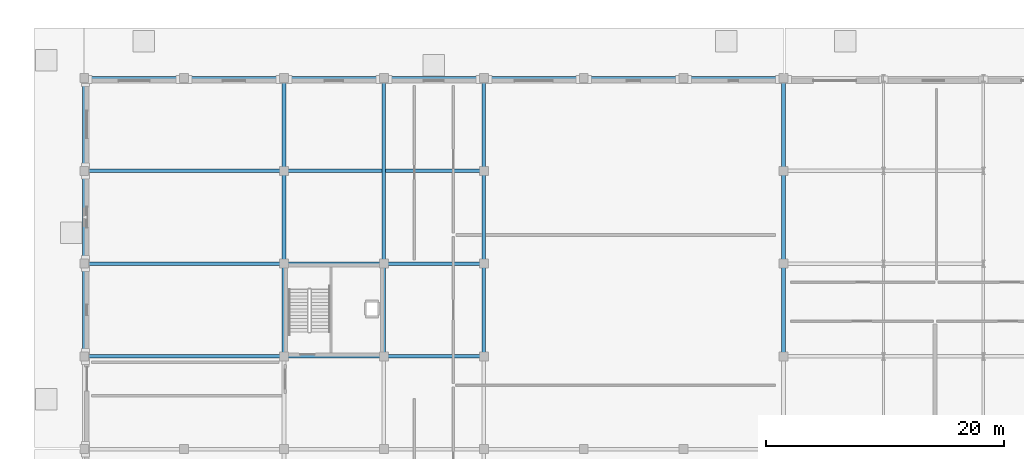
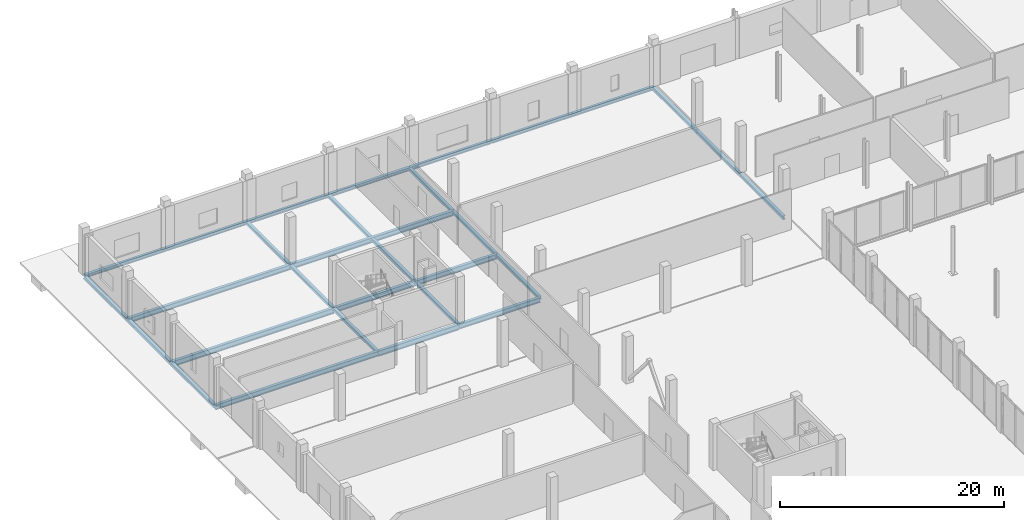
# One storey, part 30 of 80: 29 beams.
"""IFC4 building model written with IfcOpenShell, lengths in metres."""

from ifc_helpers import new_model, si_unit, direction, frame, origin, origin_2d, place, context, subcontext, project, spatial, i_section, extrude, material, material_profile, profile_set, type_object, element, save


model = new_model("IFC4")

# Units and contexts
model_context = context("Model", 3, precision=1e-05, world=origin(), true_north=direction((0.0, 1.0)))
body_context = subcontext(model_context, "Body", "Model", "MODEL_VIEW")
ifc_project = project(units=[si_unit("LENGTHUNIT", "METRE"), si_unit("AREAUNIT", "SQUARE_METRE"), si_unit("VOLUMEUNIT", "CUBIC_METRE"), si_unit("PLANEANGLEUNIT", "RADIAN"), si_unit("MASSUNIT", "GRAM", prefix="KILO")], contexts=[model_context])

# Site, building, storey
site_placement = place(None, origin())
site = spatial("IfcSite", under=ifc_project, at=site_placement, CompositionType="ELEMENT")
building_placement = place(site_placement, origin())
building = spatial("IfcBuilding", under=site, at=building_placement, Name="Nabrawat Pavilion Hospital", CompositionType="ELEMENT")
storey_placement = place(building_placement, origin())
storey = spatial("IfcBuildingStorey", under=building, at=storey_placement, Name="L00", CompositionType="ELEMENT", Elevation=0.0)

# Beams
ifc_material = material(Name="Steel S355", Category="steel")
ifc_material_profile_1 = material_profile(ifc_material, i_section(OverallWidth=0.300048828125, OverallDepth=0.389892578125, WebThickness=0.010986328125, FlangeThickness=0.01904296875, FilletRadius=0.027099609375, at=origin_2d()), Name="HEA 400")
ifc_profile_set_1 = profile_set([ifc_material_profile_1], Name="Steel S355")
beam_type_1 = type_object("IfcBeamType", Name="Perimeter Moment Spandrel Beam HEA 400", PredefinedType="SPANDREL", material=ifc_profile_set_1)
beam_1_placement = place(storey_placement, frame((0.0, 93.6201171875, -0.445068359375), z_axis=(0.0, 1.0, 0.0), x_axis=(-1.0, 0.0, 0.0)))
element("IfcBeam", 1, at=beam_1_placement, inside=storey, type_object=beam_type_1, Name="L00 Primary Y Beam 248", PredefinedType="SPANDREL", context=body_context, shape_type="SweptSolid", body=[
    extrude(i_section(OverallWidth=0.300048828125, OverallDepth=0.389892578125, WebThickness=0.010986328125, FlangeThickness=0.01904296875, FilletRadius=0.027099609375, at=origin_2d()), origin(), (0.0, 0.0, 1.0), 7.759765625),
])
for number, where, z_axis, x_axis, name in (
    (2, (0.0, 101.419921875, -0.445068359375), (0.0, 1.0, 0.0), (-1.0, 0.0, 0.0), "L00 Primary Y Beam 249"),
    (3, (0.0, 109.219970703125, -0.445068359375), (0.0, 1.0, 0.0), (-1.0, 0.0, 0.0), "L00 Primary Y Beam 250"),
):
    element("IfcBeam", number, at=place(storey_placement, frame(where, z_axis=z_axis, x_axis=x_axis)), inside=storey, type_object=beam_type_1, Name=name, PredefinedType="SPANDREL", context=body_context, shape_type="SweptSolid", body=[
        extrude(i_section(OverallWidth=0.300048828125, OverallDepth=0.389892578125, WebThickness=0.010986328125, FlangeThickness=0.01904296875, FilletRadius=0.027099609375, at=origin_2d()), origin(), (0.0, 0.0, 1.0), 7.760009765625),
    ])
beam_2_placement = place(storey_placement, frame((58.800048828125, 93.6201171875, -0.47509765625), z_axis=(0.0, 1.0, 0.0), x_axis=(-1.0, 0.0, 0.0)))
element("IfcBeam", 4, at=beam_2_placement, inside=storey, type_object=beam_type_1, Name="L00 Primary Y Beam 296", PredefinedType="SPANDREL", context=body_context, shape_type="SweptSolid", body=[
    extrude(i_section(OverallWidth=0.300048828125, OverallDepth=0.389892578125, WebThickness=0.010986328125, FlangeThickness=0.01904296875, FilletRadius=0.027099609375, at=origin_2d()), origin(), (0.0, 0.0, 1.0), 7.759765625),
])
for number, where, z_axis, x_axis, name in (
    (5, (58.800048828125, 101.419921875, -0.47509765625), (0.0, 1.0, 0.0), (-1.0, 0.0, 0.0), "L00 Primary Y Beam 297"),
    (6, (58.800048828125, 109.219970703125, -0.47509765625), (0.0, 1.0, 0.0), (-1.0, 0.0, 0.0), "L00 Primary Y Beam 298"),
):
    element("IfcBeam", number, at=place(storey_placement, frame(where, z_axis=z_axis, x_axis=x_axis)), inside=storey, type_object=beam_type_1, Name=name, PredefinedType="SPANDREL", context=body_context, shape_type="SweptSolid", body=[
        extrude(i_section(OverallWidth=0.300048828125, OverallDepth=0.389892578125, WebThickness=0.010986328125, FlangeThickness=0.01904296875, FilletRadius=0.027099609375, at=origin_2d()), origin(), (0.0, 0.0, 1.0), 7.760009765625),
    ])
ifc_material_profile_2 = material_profile(ifc_material, i_section(OverallWidth=0.300048828125, OverallDepth=0.550048828125, WebThickness=0.014892578125, FlangeThickness=0.029052734375, FilletRadius=0.027099609375, at=origin_2d()), Name="HEB 550")
ifc_profile_set_2 = profile_set([ifc_material_profile_2], Name="Steel S355")
beam_type_2 = type_object("IfcBeamType", Name="Primary Floor Girder HEB 550", PredefinedType="USERDEFINED", material=ifc_profile_set_2)
beam_3_placement = place(storey_placement, frame((0.02001953125, 93.60009765625, -0.52490234375), z_axis=(1.0, 0.0, 0.0), x_axis=(0.0, 1.0, 0.0)))
element("IfcBeam", 7, at=beam_3_placement, inside=storey, type_object=beam_type_2, Name="L00 Primary X Girder 164", ObjectType="GIRDER", PredefinedType="USERDEFINED", context=body_context, shape_type="SweptSolid", body=[
    extrude(i_section(OverallWidth=0.300048828125, OverallDepth=0.550048828125, WebThickness=0.014892578125, FlangeThickness=0.029052734375, FilletRadius=0.027099609375, at=origin_2d()), origin(), (0.0, 0.0, 1.0), 16.760009765625),
])
beam_4_placement = place(storey_placement, frame((25.219970703125, 93.60009765625, -0.52490234375), z_axis=(1.0, 0.0, 0.0), x_axis=(0.0, 1.0, 0.0)))
element("IfcBeam", 8, at=beam_4_placement, inside=storey, type_object=beam_type_2, Name="L00 Primary X Girder 166", ObjectType="GIRDER", PredefinedType="USERDEFINED", context=body_context, shape_type="SweptSolid", body=[
    extrude(i_section(OverallWidth=0.300048828125, OverallDepth=0.550048828125, WebThickness=0.014892578125, FlangeThickness=0.029052734375, FilletRadius=0.027099609375, at=origin_2d()), origin(), (0.0, 0.0, 1.0), 8.360107421875),
])
beam_5_placement = place(storey_placement, frame((16.820068359375, 101.39990234375, -0.52490234375), z_axis=(1.0, 0.0, 0.0), x_axis=(0.0, 1.0, 0.0)))
element("IfcBeam", 9, at=beam_5_placement, inside=storey, type_object=beam_type_2, Name="L00 Primary X Girder 181", ObjectType="GIRDER", PredefinedType="USERDEFINED", context=body_context, shape_type="SweptSolid", body=[
    extrude(i_section(OverallWidth=0.300048828125, OverallDepth=0.550048828125, WebThickness=0.014892578125, FlangeThickness=0.029052734375, FilletRadius=0.027099609375, at=origin_2d()), origin(), (0.0, 0.0, 1.0), 8.35986328125),
])
beam_6_placement = place(storey_placement, frame((25.219970703125, 101.39990234375, -0.52490234375), z_axis=(1.0, 0.0, 0.0), x_axis=(0.0, 1.0, 0.0)))
element("IfcBeam", 10, at=beam_6_placement, inside=storey, type_object=beam_type_2, Name="L00 Primary X Girder 182", ObjectType="GIRDER", PredefinedType="USERDEFINED", context=body_context, shape_type="SweptSolid", body=[
    extrude(i_section(OverallWidth=0.300048828125, OverallDepth=0.550048828125, WebThickness=0.014892578125, FlangeThickness=0.029052734375, FilletRadius=0.027099609375, at=origin_2d()), origin(), (0.0, 0.0, 1.0), 8.360107421875),
])
for number, where, z_axis, x_axis, name in (
    (11, (0.02001953125, 109.199951171875, -0.52490234375), (1.0, 0.0, 0.0), (0.0, 1.0, 0.0), "L00 Primary X Girder 193"),
    (12, (16.820068359375, 109.199951171875, -0.52490234375), (1.0, 0.0, 0.0), (0.0, 1.0, 0.0), "L00 Primary X Girder 194"),
):
    element("IfcBeam", number, at=place(storey_placement, frame(where, z_axis=z_axis, x_axis=x_axis)), inside=storey, type_object=beam_type_2, Name=name, ObjectType="GIRDER", PredefinedType="USERDEFINED", context=body_context, shape_type="SweptSolid", body=[
        extrude(i_section(OverallWidth=0.300048828125, OverallDepth=0.550048828125, WebThickness=0.014892578125, FlangeThickness=0.029052734375, FilletRadius=0.027099609375, at=origin_2d()), origin(), (0.0, 0.0, 1.0), 16.760009765625),
    ])
ifc_material_profile_3 = material_profile(ifc_material, i_section(OverallWidth=0.300048828125, OverallDepth=0.60009765625, WebThickness=0.015380859375, FlangeThickness=0.030029296875, FilletRadius=0.027099609375, at=origin_2d()), Name="HEB 600")
ifc_profile_set_3 = profile_set([ifc_material_profile_3], Name="Steel S355")
beam_type_3 = type_object("IfcBeamType", Name="Primary Long-Span Girder HEB 600", PredefinedType="USERDEFINED", material=ifc_profile_set_3)
beam_7_placement = place(storey_placement, frame((16.820068359375, 93.60009765625, -0.550048828125), z_axis=(1.0, 0.0, 0.0), x_axis=(0.0, 1.0, 0.0)))
element("IfcBeam", 13, at=beam_7_placement, inside=storey, type_object=beam_type_3, Name="L00 Primary X Girder 165", ObjectType="GIRDER", PredefinedType="USERDEFINED", context=body_context, shape_type="SweptSolid", body=[
    extrude(i_section(OverallWidth=0.300048828125, OverallDepth=0.60009765625, WebThickness=0.015380859375, FlangeThickness=0.030029296875, FilletRadius=0.027099609375, at=origin_2d()), origin(), (0.0, 0.0, 1.0), 8.35986328125),
])
beam_8_placement = place(storey_placement, frame((0.02001953125, 101.39990234375, -0.550048828125), z_axis=(1.0, 0.0, 0.0), x_axis=(0.0, 1.0, 0.0)))
element("IfcBeam", 14, at=beam_8_placement, inside=storey, type_object=beam_type_3, Name="L00 Primary X Girder 180", ObjectType="GIRDER", PredefinedType="USERDEFINED", context=body_context, shape_type="SweptSolid", body=[
    extrude(i_section(OverallWidth=0.300048828125, OverallDepth=0.60009765625, WebThickness=0.015380859375, FlangeThickness=0.030029296875, FilletRadius=0.027099609375, at=origin_2d()), origin(), (0.0, 0.0, 1.0), 16.760009765625),
])
ifc_material_profile_4 = material_profile(ifc_material, i_section(OverallWidth=0.300048828125, OverallDepth=0.360107421875, WebThickness=0.012451171875, FlangeThickness=0.0224609375, FilletRadius=0.027099609375, at=origin_2d()), Name="HEB 360")
ifc_profile_set_4 = profile_set([ifc_material_profile_4], Name="Steel S355")
beam_type_4 = type_object("IfcBeamType", Name="Surgical Perimeter Spandrel HEB 360", PredefinedType="SPANDREL", material=ifc_profile_set_4)
beam_9_placement = place(storey_placement, frame((0.02001953125, 117.0, -0.429931640625), z_axis=(1.0, 0.0, 0.0), x_axis=(0.0, 1.0, 0.0)))
element("IfcBeam", 15, at=beam_9_placement, inside=storey, type_object=beam_type_4, Name="L00 Primary X Girder 205", PredefinedType="SPANDREL", context=body_context, shape_type="SweptSolid", body=[
    extrude(i_section(OverallWidth=0.300048828125, OverallDepth=0.360107421875, WebThickness=0.012451171875, FlangeThickness=0.0224609375, FilletRadius=0.027099609375, at=origin_2d()), origin(), (0.0, 0.0, 1.0), 8.35986328125),
])
beam_10_placement = place(storey_placement, frame((8.419921875, 117.0, -0.429931640625), z_axis=(1.0, 0.0, 0.0), x_axis=(0.0, 1.0, 0.0)))
element("IfcBeam", 16, at=beam_10_placement, inside=storey, type_object=beam_type_4, Name="L00 Primary X Girder 206", PredefinedType="SPANDREL", context=body_context, shape_type="SweptSolid", body=[
    extrude(i_section(OverallWidth=0.300048828125, OverallDepth=0.360107421875, WebThickness=0.012451171875, FlangeThickness=0.0224609375, FilletRadius=0.027099609375, at=origin_2d()), origin(), (0.0, 0.0, 1.0), 8.360107421875),
])
beam_11_placement = place(storey_placement, frame((16.820068359375, 117.0, -0.429931640625), z_axis=(1.0, 0.0, 0.0), x_axis=(0.0, 1.0, 0.0)))
element("IfcBeam", 17, at=beam_11_placement, inside=storey, type_object=beam_type_4, Name="L00 Primary X Girder 207", PredefinedType="SPANDREL", context=body_context, shape_type="SweptSolid", body=[
    extrude(i_section(OverallWidth=0.300048828125, OverallDepth=0.360107421875, WebThickness=0.012451171875, FlangeThickness=0.0224609375, FilletRadius=0.027099609375, at=origin_2d()), origin(), (0.0, 0.0, 1.0), 8.35986328125),
])
beam_12_placement = place(storey_placement, frame((25.219970703125, 117.0, -0.429931640625), z_axis=(1.0, 0.0, 0.0), x_axis=(0.0, 1.0, 0.0)))
element("IfcBeam", 18, at=beam_12_placement, inside=storey, type_object=beam_type_4, Name="L00 Primary X Girder 208", PredefinedType="SPANDREL", context=body_context, shape_type="SweptSolid", body=[
    extrude(i_section(OverallWidth=0.300048828125, OverallDepth=0.360107421875, WebThickness=0.012451171875, FlangeThickness=0.0224609375, FilletRadius=0.027099609375, at=origin_2d()), origin(), (0.0, 0.0, 1.0), 8.360107421875),
])
for number, where, z_axis, x_axis, name in (
    (19, (33.6201171875, 117.0, -0.429931640625), (1.0, 0.0, 0.0), (0.0, 1.0, 0.0), "L00 Primary X Girder 209"),
    (20, (42.02001953125, 117.0, -0.429931640625), (1.0, 0.0, 0.0), (0.0, 1.0, 0.0), "L00 Primary X Girder 210"),
):
    element("IfcBeam", number, at=place(storey_placement, frame(where, z_axis=z_axis, x_axis=x_axis)), inside=storey, type_object=beam_type_4, Name=name, PredefinedType="SPANDREL", context=body_context, shape_type="SweptSolid", body=[
        extrude(i_section(OverallWidth=0.300048828125, OverallDepth=0.360107421875, WebThickness=0.012451171875, FlangeThickness=0.0224609375, FilletRadius=0.027099609375, at=origin_2d()), origin(), (0.0, 0.0, 1.0), 8.35986328125),
    ])
beam_13_placement = place(storey_placement, frame((50.419921875, 117.0, -0.429931640625), z_axis=(1.0, 0.0, 0.0), x_axis=(0.0, 1.0, 0.0)))
element("IfcBeam", 21, at=beam_13_placement, inside=storey, type_object=beam_type_4, Name="L00 Primary X Girder 211", PredefinedType="SPANDREL", context=body_context, shape_type="SweptSolid", body=[
    extrude(i_section(OverallWidth=0.300048828125, OverallDepth=0.360107421875, WebThickness=0.012451171875, FlangeThickness=0.0224609375, FilletRadius=0.027099609375, at=origin_2d()), origin(), (0.0, 0.0, 1.0), 8.360107421875),
])
ifc_material_profile_5 = material_profile(ifc_material, i_section(OverallWidth=0.300048828125, OverallDepth=0.35009765625, WebThickness=0.009521484375, FlangeThickness=0.017578125, FilletRadius=0.027099609375, at=origin_2d()), Name="HEA 360")
ifc_profile_set_5 = profile_set([ifc_material_profile_5], Name="Steel S355")
beam_type_5 = type_object("IfcBeamType", Name="Surgical Stiffened Beam HEA 360", PredefinedType="BEAM", material=ifc_profile_set_5)
beam_14_placement = place(storey_placement, frame((16.800048828125, 93.6201171875, -0.425048828125), z_axis=(0.0, 1.0, 0.0), x_axis=(-1.0, 0.0, 0.0)))
element("IfcBeam", 22, at=beam_14_placement, inside=storey, type_object=beam_type_5, Name="L00 Primary Y Beam 263", PredefinedType="BEAM", context=body_context, shape_type="SweptSolid", body=[
    extrude(i_section(OverallWidth=0.300048828125, OverallDepth=0.35009765625, WebThickness=0.009521484375, FlangeThickness=0.017578125, FilletRadius=0.027099609375, at=origin_2d()), origin(), (0.0, 0.0, 1.0), 7.759765625),
])
for number, where, z_axis, x_axis, name in (
    (23, (16.800048828125, 101.419921875, -0.425048828125), (0.0, 1.0, 0.0), (-1.0, 0.0, 0.0), "L00 Primary Y Beam 264"),
    (24, (16.800048828125, 109.219970703125, -0.425048828125), (0.0, 1.0, 0.0), (-1.0, 0.0, 0.0), "L00 Primary Y Beam 265"),
):
    element("IfcBeam", number, at=place(storey_placement, frame(where, z_axis=z_axis, x_axis=x_axis)), inside=storey, type_object=beam_type_5, Name=name, PredefinedType="BEAM", context=body_context, shape_type="SweptSolid", body=[
        extrude(i_section(OverallWidth=0.300048828125, OverallDepth=0.35009765625, WebThickness=0.009521484375, FlangeThickness=0.017578125, FilletRadius=0.027099609375, at=origin_2d()), origin(), (0.0, 0.0, 1.0), 7.760009765625),
    ])
beam_15_placement = place(storey_placement, frame((25.199951171875, 93.6201171875, -0.425048828125), z_axis=(0.0, 1.0, 0.0), x_axis=(-1.0, 0.0, 0.0)))
element("IfcBeam", 25, at=beam_15_placement, inside=storey, type_object=beam_type_5, Name="L00 Primary Y Beam 270", PredefinedType="BEAM", context=body_context, shape_type="SweptSolid", body=[
    extrude(i_section(OverallWidth=0.300048828125, OverallDepth=0.35009765625, WebThickness=0.009521484375, FlangeThickness=0.017578125, FilletRadius=0.027099609375, at=origin_2d()), origin(), (0.0, 0.0, 1.0), 7.759765625),
])
beam_16_placement = place(storey_placement, frame((25.199951171875, 101.419921875, -0.425048828125), z_axis=(0.0, 1.0, 0.0), x_axis=(-1.0, 0.0, 0.0)))
element("IfcBeam", 26, at=beam_16_placement, inside=storey, type_object=beam_type_5, Name="L00 Primary Y Beam 271", PredefinedType="BEAM", context=body_context, shape_type="SweptSolid", body=[
    extrude(i_section(OverallWidth=0.300048828125, OverallDepth=0.35009765625, WebThickness=0.009521484375, FlangeThickness=0.017578125, FilletRadius=0.027099609375, at=origin_2d()), origin(), (0.0, 0.0, 1.0), 15.56005859375),
])
beam_17_placement = place(storey_placement, frame((33.60009765625, 93.6201171875, -0.425048828125), z_axis=(0.0, 1.0, 0.0), x_axis=(-1.0, 0.0, 0.0)))
element("IfcBeam", 27, at=beam_17_placement, inside=storey, type_object=beam_type_5, Name="L00 Primary Y Beam 284", PredefinedType="BEAM", context=body_context, shape_type="SweptSolid", body=[
    extrude(i_section(OverallWidth=0.300048828125, OverallDepth=0.35009765625, WebThickness=0.009521484375, FlangeThickness=0.017578125, FilletRadius=0.027099609375, at=origin_2d()), origin(), (0.0, 0.0, 1.0), 7.759765625),
])
for number, where, z_axis, x_axis, name in (
    (28, (33.60009765625, 101.419921875, -0.425048828125), (0.0, 1.0, 0.0), (-1.0, 0.0, 0.0), "L00 Primary Y Beam 285"),
    (29, (33.60009765625, 109.219970703125, -0.425048828125), (0.0, 1.0, 0.0), (-1.0, 0.0, 0.0), "L00 Primary Y Beam 286"),
):
    element("IfcBeam", number, at=place(storey_placement, frame(where, z_axis=z_axis, x_axis=x_axis)), inside=storey, type_object=beam_type_5, Name=name, PredefinedType="BEAM", context=body_context, shape_type="SweptSolid", body=[
        extrude(i_section(OverallWidth=0.300048828125, OverallDepth=0.35009765625, WebThickness=0.009521484375, FlangeThickness=0.017578125, FilletRadius=0.027099609375, at=origin_2d()), origin(), (0.0, 0.0, 1.0), 7.760009765625),
    ])

save(model, "model.ifc")
